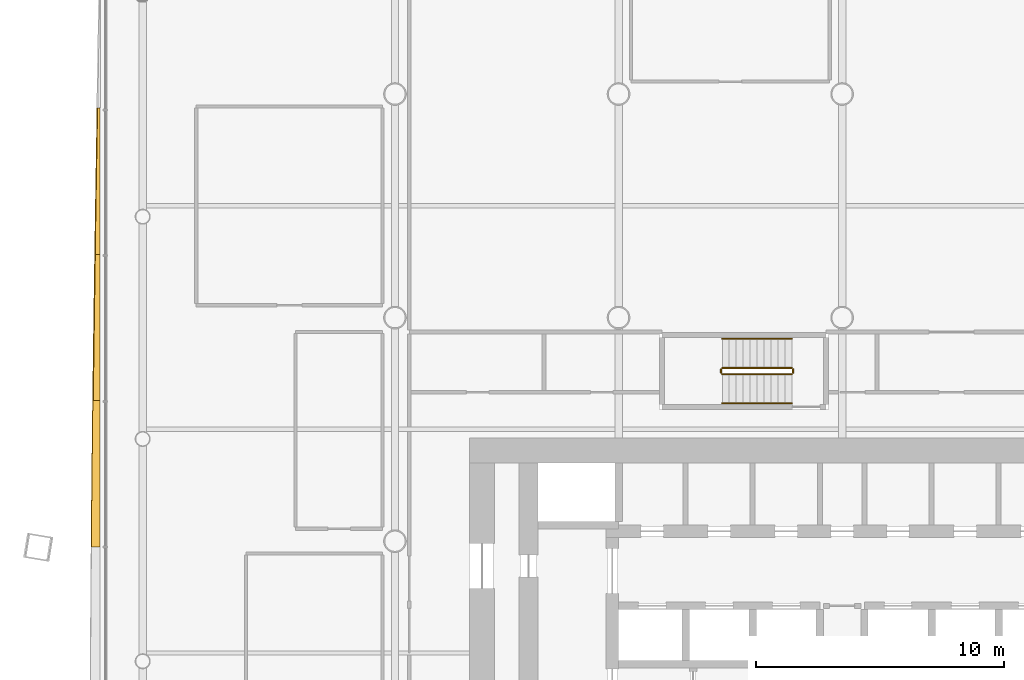
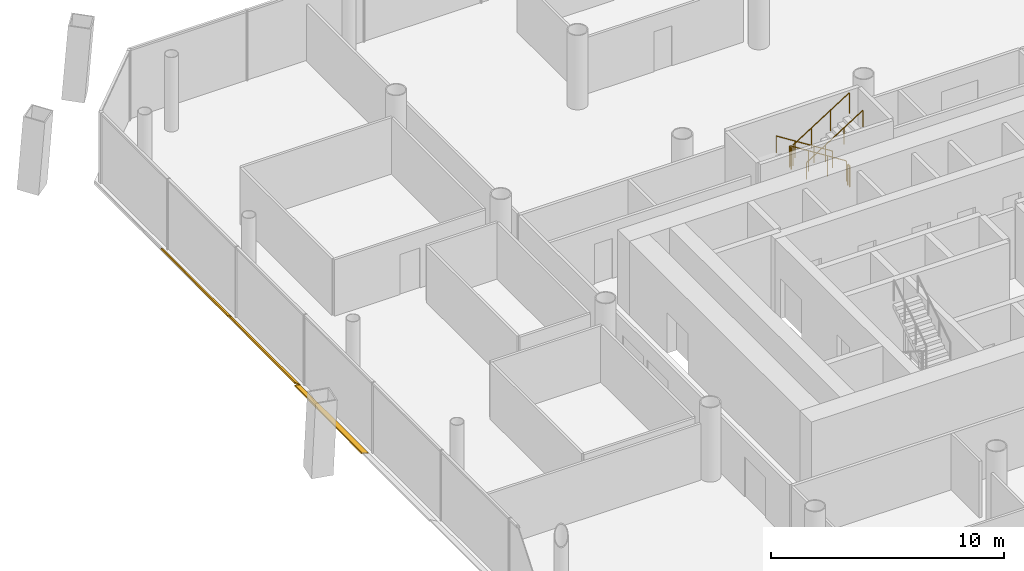
# One storey, part 20 of 21: 6 railings, 3 shading devices.
"""IFC4 building model written with IfcOpenShell, lengths in metres."""

from ifc_helpers import new_model, si_unit, direction, frame, origin, origin_2d, place, context, subcontext, project, spatial, polyline, circle, outline, extrude, material, layer, layer_set, type_object, element, save


model = new_model("IFC4")

# Units and contexts
model_context = context("Model", 3, precision=1e-05, world=origin(), true_north=direction((0.0, 1.0)))
body_context = subcontext(model_context, "Body", "Model", "MODEL_VIEW")
ifc_project = project(units=[si_unit("LENGTHUNIT", "METRE"), si_unit("AREAUNIT", "SQUARE_METRE"), si_unit("VOLUMEUNIT", "CUBIC_METRE"), si_unit("PLANEANGLEUNIT", "RADIAN"), si_unit("MASSUNIT", "GRAM", prefix="KILO")], contexts=[model_context])

# Site, building, storey
site_placement = place(None, origin())
site = spatial("IfcSite", under=ifc_project, at=site_placement, CompositionType="ELEMENT")
building_placement = place(site_placement, origin())
building = spatial("IfcBuilding", under=site, at=building_placement, Name="Tskaro Facet Tower", CompositionType="ELEMENT")
storey_placement = place(building_placement, frame((0.0, 0.0, 42.0)))
storey = spatial("IfcBuildingStorey", under=building, at=storey_placement, Name="L09", CompositionType="ELEMENT", Elevation=42.0)

# Shading devices
ifc_material_1 = material(Name="Bronze anodised aluminium 6063-T6", Category="aluminium")
ifc_layer = layer(ifc_material_1, 0.06005859375, Name="Bronze anodised aluminium 6063-T6")
ifc_layer_set = layer_set([ifc_layer], Name="Bronze anodised aluminium 6063-T6")
shading_device_type = type_object("IfcShadingDeviceType", Name="Bronze sun blade (FN1)", PredefinedType="USERDEFINED", material=ifc_layer_set)
shading_device_1_placement = place(storey_placement, frame((-29.86962890625, 17.444580078125, 0.049072265625), z_axis=(0.573872065355, -2.189452e-06, 0.818944963109), x_axis=(-1.256466e-06, -0.999999999998, -1.793041e-06)))
element("IfcShadingDevice", 1, at=shading_device_1_placement, inside=storey, type_object=shading_device_type, Name="Fin blade west 2", ObjectType="FIN", PredefinedType="USERDEFINED", context=body_context, shape_type="SweptSolid", body=[
    extrude(outline(polyline([(0.0, 0.0), (5.894531249985872, 0.0), (5.894531249984977, -0.23908934598258874), (5.157714843634179, -0.22540883465581274), (4.420898437721135, -0.21158821784433068), (3.6840820311945817, -0.19736772556257987), (2.9472656251057834, -0.18300712779612296), (2.210449218710231, -0.16844659229453168), (1.4736328124456775, -0.15354601357309994), (0.7368164061811245, -0.1386454348516682), (-8.342858513417717e-11, -0.12374485613023647), (0.0, 0.0)])), origin(), (0.0, 0.0, -1.0), 0.06005859375),
])
shading_device_2_placement = place(storey_placement, frame((-29.865478515625, 11.550048828125, 0.0458984375), z_axis=(0.643097631676, -6.542013e-06, 0.765784196814), x_axis=(-4.207153e-06, -0.999999999979, -5.00977e-06)))
element("IfcShadingDevice", 2, at=shading_device_2_placement, inside=storey, type_object=shading_device_type, Name="Fin blade west 3", ObjectType="FIN", PredefinedType="USERDEFINED", context=body_context, shape_type="SweptSolid", body=[
    extrude(outline(polyline([(0.0, 0.0), (5.894531249873863, 0.0), (5.894531249875118, -0.36216943072051944), (5.1577148437485105, -0.3500407872406308), (4.420898437817852, -0.3375681784705763), (3.6840820320831464, -0.32475160441035567), (2.947265624294167, -0.3115611122852764), (2.210449218951364, -0.2980566076447238), (1.4736328125814242, -0.28436514397174184), (0.7368164053802987, -0.2701427559761645), (-5.977381681506437e-10, -0.25576336172285047), (0.0, 0.0)])), origin(), (0.0, 0.0, -1.0), 0.06005859375),
])
shading_device_3_placement = place(storey_placement, frame((-29.883544921875, 5.655517578125, 0.056396484375), z_axis=(0.341909841471, -1.5983295e-05, 0.939732759911), x_axis=(-5.464846e-06, -0.999999999872, -1.5020026e-05)))
element("IfcShadingDevice", 3, at=shading_device_3_placement, inside=storey, type_object=shading_device_type, Name="Fin blade west 4", ObjectType="FIN", PredefinedType="USERDEFINED", context=body_context, shape_type="SweptSolid", body=[
    extrude(outline(polyline([(0.0, 0.0), (5.894531249247075, 0.0), (5.894531249940919, -0.36214251883083526), (5.157714844431865, -0.35511325053591764), (4.42089843625443, -0.34762512835426607), (3.684082030409804, -0.3398241051468466), (2.947265625563794, -0.3314807539702922), (2.210449219383592, -0.32290797585037084), (1.4736328118692, -0.3141057707870825), (0.7368164053534245, -0.3047612377546593), (-2.496541854113112e-09, -0.2951872777788692), (0.0, 0.0)])), origin(), (0.0, 0.0, -1.0), 0.06005859375),
])

# Railings
ifc_material_2 = material(Name="Stainless steel", Category="steel")
railing_type_1 = type_object("IfcRailingType", Name="RL-GUARD-1100", PredefinedType="GUARDRAIL", material=ifc_material_2)
railing_1_placement = place(storey_placement, frame((-2.02490234375, 6.97509765625, 0.17724609375)))
element("IfcRailing", 4, at=railing_1_placement, inside=storey, type_object=railing_type_1, Name="L09 ST-3 stair guard 1", PredefinedType="GUARDRAIL", context=body_context, shape_type="SweptSolid", body=[
    extrude(circle(Radius=0.02392578125, at=origin_2d()), frame((0.0, 0.0, 1.076171875), z_axis=(-0.844908973607, 0.0, 0.534910110503), x_axis=(0.0, -1.0, 0.0)), (0.0, 0.0, 1.0), 3.31396484375),
    extrude(circle(Radius=0.02099609375, at=origin_2d()), origin(), (0.0, 0.0, 1.0), 1.052001953125),
    extrude(circle(Radius=0.02099609375, at=origin_2d()), frame((-0.933349609375, 0.0, 0.5908203125)), (0.0, 0.0, 1.0), 1.052001953125),
    extrude(circle(Radius=0.02099609375, at=origin_2d()), frame((-1.86669921875, 0.0, 1.181884765625)), (0.0, 0.0, 1.0), 1.052001953125),
    extrude(circle(Radius=0.02099609375, at=origin_2d()), frame((-2.800048828125, 0.0, 1.772705078125)), (0.0, 0.0, 1.0), 1.052001953125),
])
railing_2_placement = place(storey_placement, frame((-4.875, 6.925048828125, 1.949951171875)))
element("IfcRailing", 5, at=railing_2_placement, inside=storey, type_object=railing_type_1, Name="L09 ST-3 stair guard 2", PredefinedType="GUARDRAIL", context=body_context, shape_type="SweptSolid", body=[
    extrude(circle(Radius=0.02392578125, at=origin_2d()), frame((0.0, 0.0, 1.076171875), z_axis=(0.0, -1.0, 0.0), x_axis=(1.0, 0.0, 0.0)), (0.0, 0.0, 1.0), 0.150146484375),
    extrude(circle(Radius=0.02099609375, at=origin_2d()), origin(), (0.0, 0.0, 1.0), 1.052001953125),
    extrude(circle(Radius=0.02099609375, at=origin_2d()), frame((0.0, -0.150146484375, 0.0)), (0.0, 0.0, 1.0), 1.052001953125),
])
railing_3_placement = place(storey_placement, frame((-4.824951171875, 6.72509765625, 2.127197265625)))
element("IfcRailing", 6, at=railing_3_placement, inside=storey, type_object=railing_type_1, Name="L09 ST-3 stair guard 3", PredefinedType="GUARDRAIL", context=body_context, shape_type="SweptSolid", body=[
    extrude(circle(Radius=0.02392578125, at=origin_2d()), frame((0.0, 0.0, 1.076171875), z_axis=(0.844908973607, 0.0, 0.534910110503), x_axis=(0.0, 1.0, 0.0)), (0.0, 0.0, 1.0), 3.31396484375),
    extrude(circle(Radius=0.02099609375, at=origin_2d()), origin(), (0.0, 0.0, 1.0), 1.052001953125),
    extrude(circle(Radius=0.02099609375, at=origin_2d()), frame((0.933349609375, 0.0, 0.5908203125)), (0.0, 0.0, 1.0), 1.052001953125),
    extrude(circle(Radius=0.02099609375, at=origin_2d()), frame((1.86669921875, 0.0, 1.181884765625)), (0.0, 0.0, 1.0), 1.052001953125),
    extrude(circle(Radius=0.02099609375, at=origin_2d()), frame((2.800048828125, 0.0, 1.772705078125)), (0.0, 0.0, 1.0), 1.052001953125),
])
railing_4_placement = place(storey_placement, frame((-1.97509765625, 6.925048828125, 0.0)))
element("IfcRailing", 7, at=railing_4_placement, inside=storey, type_object=railing_type_1, Name="L09 ST-3 stair guard 4", PredefinedType="GUARDRAIL", context=body_context, shape_type="SweptSolid", body=[
    extrude(circle(Radius=0.02392578125, at=origin_2d()), frame((0.0, 0.0, 1.076171875), z_axis=(0.0, -1.0, 0.0), x_axis=(1.0, 0.0, 0.0)), (0.0, 0.0, 1.0), 0.150146484375),
    extrude(circle(Radius=0.02099609375, at=origin_2d()), origin(), (0.0, 0.0, 1.0), 1.052001953125),
    extrude(circle(Radius=0.02099609375, at=origin_2d()), frame((0.0, -0.150146484375, 0.0)), (0.0, 0.0, 1.0), 1.052001953125),
])
railing_type_2 = type_object("IfcRailingType", Name="RL-HANDRAIL-900", PredefinedType="HANDRAIL", material=ifc_material_2)
railing_5_placement = place(storey_placement, frame((-2.02490234375, 8.14990234375, 0.17724609375)))
element("IfcRailing", 8, at=railing_5_placement, inside=storey, type_object=railing_type_2, Name="L09 ST-3 stair handrail 1", PredefinedType="HANDRAIL", context=body_context, shape_type="SweptSolid", body=[
    extrude(circle(Radius=0.02392578125, at=origin_2d()), frame((0.0, 0.0, 0.8759765625), z_axis=(-0.844908973607, 0.0, 0.534910110503), x_axis=(0.0, -1.0, 0.0)), (0.0, 0.0, 1.0), 3.31396484375),
    extrude(circle(Radius=0.02099609375, at=origin_2d()), origin(), (0.0, 0.0, 1.0), 0.851806640625),
    extrude(circle(Radius=0.02099609375, at=origin_2d()), frame((-0.933349609375, 0.0, 0.5908203125)), (0.0, 0.0, 1.0), 0.851806640625),
    extrude(circle(Radius=0.02099609375, at=origin_2d()), frame((-1.86669921875, 0.0, 1.181884765625)), (0.0, 0.0, 1.0), 0.851806640625),
    extrude(circle(Radius=0.02099609375, at=origin_2d()), frame((-2.800048828125, 0.0, 1.772705078125)), (0.0, 0.0, 1.0), 0.851806640625),
])
railing_6_placement = place(storey_placement, frame((-4.824951171875, 5.550048828125, 2.127197265625)))
element("IfcRailing", 9, at=railing_6_placement, inside=storey, type_object=railing_type_2, Name="L09 ST-3 stair handrail 2", PredefinedType="HANDRAIL", context=body_context, shape_type="SweptSolid", body=[
    extrude(circle(Radius=0.02392578125, at=origin_2d()), frame((0.0, 0.0, 0.8759765625), z_axis=(0.844908973607, 0.0, 0.534910110503), x_axis=(0.0, 1.0, 0.0)), (0.0, 0.0, 1.0), 3.31396484375),
    extrude(circle(Radius=0.02099609375, at=origin_2d()), origin(), (0.0, 0.0, 1.0), 0.851806640625),
    extrude(circle(Radius=0.02099609375, at=origin_2d()), frame((0.933349609375, 0.0, 0.5908203125)), (0.0, 0.0, 1.0), 0.851806640625),
    extrude(circle(Radius=0.02099609375, at=origin_2d()), frame((1.86669921875, 0.0, 1.181884765625)), (0.0, 0.0, 1.0), 0.851806640625),
    extrude(circle(Radius=0.02099609375, at=origin_2d()), frame((2.800048828125, 0.0, 1.772705078125)), (0.0, 0.0, 1.0), 0.851806640625),
])

save(model, "model.ifc")
